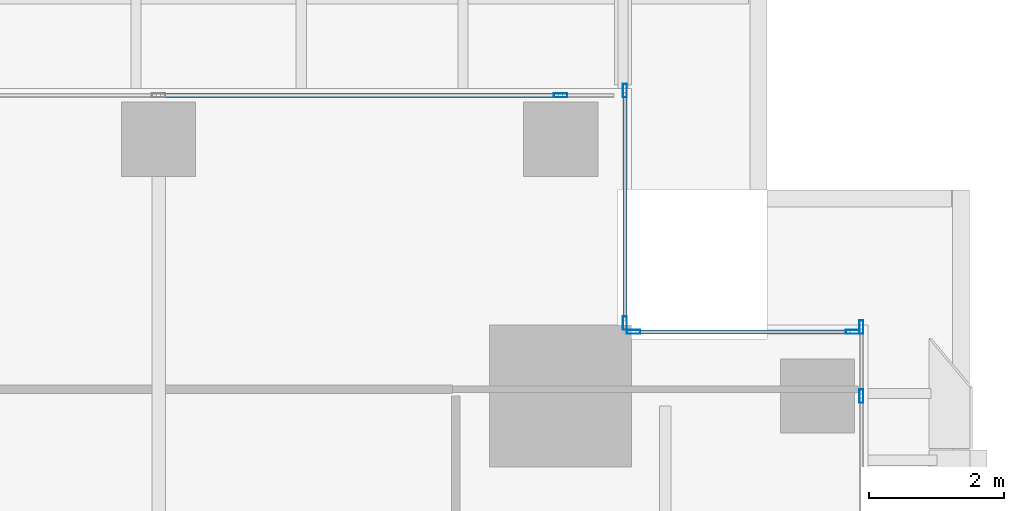
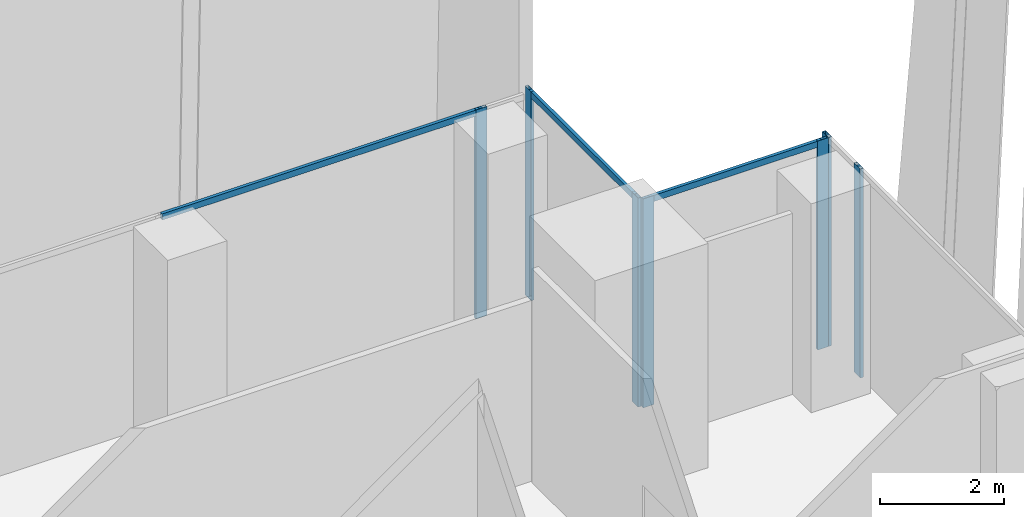
# One storey, part 19 of 37: 10 members, 4 elements without a shape of their own.
"""IFC4 building model written with IfcOpenShell, lengths in metres."""

from ifc_helpers import new_model, si_unit, direction, frame, origin, origin_2d, place, context, subcontext, project, spatial, hollow_rectangle, extrude, source, transform, mapped, material, material_profile, profile_set, type_object, element, aggregate, save


model = new_model("IFC4")

# Units and contexts
model_context = context("Model", 3, precision=1e-05, world=origin(), true_north=direction((0.0, 1.0)))
body_context = subcontext(model_context, "Body", "Model", "MODEL_VIEW")
ifc_project = project(units=[si_unit("LENGTHUNIT", "METRE"), si_unit("AREAUNIT", "SQUARE_METRE"), si_unit("VOLUMEUNIT", "CUBIC_METRE"), si_unit("PLANEANGLEUNIT", "RADIAN"), si_unit("MASSUNIT", "GRAM", prefix="KILO")], contexts=[model_context])

# Site, building, storey
site_placement = place(None, origin())
site = spatial("IfcSite", under=ifc_project, at=site_placement, CompositionType="ELEMENT")
building_placement = place(site_placement, origin())
building = spatial("IfcBuilding", under=site, at=building_placement, Name="Khomas Fold Tower", CompositionType="ELEMENT")
storey_placement = place(building_placement, frame((0.0, 0.0, 101.5)))
storey = spatial("IfcBuildingStorey", under=building, at=storey_placement, Name="L21", CompositionType="ELEMENT", Elevation=101.5)

# Curtain wall, members
ifc_material_1 = material(Name="Aluminium framed double glazing", Category="aluminium")
curtain_wall_type = type_object("IfcCurtainWallType", Name="SK-Unitised clear-glass wall, growing floors CW1", PredefinedType="NOTDEFINED", material=ifc_material_1)
curtain_wall_1_placement = place(storey_placement, origin())
curtain_wall_1 = element("IfcCurtainWall", 1, at=curtain_wall_1_placement, inside=storey, type_object=curtain_wall_type, Name="CW1 run L21 03-1", PredefinedType="NOTDEFINED")
ifc_material_2 = material(Name="Aluminium", Category="aluminium")
ifc_material_profile_1 = material_profile(ifc_material_2, hollow_rectangle(XDim=0.06005859375, YDim=0.199951171875, WallThickness=0.00390625, at=origin_2d()), Name="SK-Unitised clear-glass wall, growing floors mullion CW1-M")
ifc_profile_set_1 = profile_set([ifc_material_profile_1], Name="Aluminium")
member_type_1 = type_object("IfcMemberType", Name="SK-Unitised clear-glass wall, growing floors mullion CW1-M", PredefinedType="MULLION", material=ifc_profile_set_1)
shared_shape_1 = source(origin(), body_context, "Body", "SweptSolid", [
    extrude(hollow_rectangle(XDim=0.06005859375, YDim=0.199951171875, WallThickness=0.00390625, at=origin_2d()), origin(), (0.0, 0.0, 1.0), 4.10009765625),
])
member_1_placement = place(storey_placement, frame((52.39990234375, 47.949951171875, 0.0), z_axis=(0.0, 0.0, 1.0), x_axis=(-1.0, 0.0, 0.0)))
member_1 = element("IfcMember", 2, at=member_1_placement, type_object=member_type_1, Name="CW1 mullion 5", PredefinedType="MULLION", context=body_context, shape_type="MappedRepresentation", body=[
    mapped(shared_shape_1, transform((0.0, 0.0, 0.0))),
])
member_2_placement = place(storey_placement, frame((52.39990234375, 48.969970703125, 0.0), z_axis=(0.0, 0.0, 1.0), x_axis=(-1.0, 0.0, 0.0)))
member_2 = element("IfcMember", 3, at=member_2_placement, type_object=member_type_1, Name="CW1 mullion 6", PredefinedType="MULLION", context=body_context, shape_type="MappedRepresentation", body=[
    mapped(shared_shape_1, transform((0.0, 0.0, 0.0))),
])
aggregate(curtain_wall_1, [member_1, member_2])

curtain_wall_2_placement = place(storey_placement, origin())
curtain_wall_2 = element("IfcCurtainWall", 4, at=curtain_wall_2_placement, inside=storey, type_object=curtain_wall_type, Name="CW1 corner return L21 04", PredefinedType="NOTDEFINED")
member_3_placement = place(storey_placement, frame((52.27001953125, 48.89990234375, 0.0), z_axis=(0.0, 0.0, 1.0), x_axis=(0.0, -1.0, 0.0)))
member_3 = element("IfcMember", 5, at=member_3_placement, type_object=member_type_1, Name="CW1 mullion 1", PredefinedType="MULLION", context=body_context, shape_type="MappedRepresentation", body=[
    mapped(shared_shape_1, transform((0.0, 0.0, 0.0))),
])
member_4_placement = place(storey_placement, frame((49.030029296875, 48.89990234375, 0.0), z_axis=(0.0, 0.0, 1.0), x_axis=(0.0, -1.0, 0.0)))
member_4 = element("IfcMember", 6, at=member_4_placement, type_object=member_type_1, Name="CW1 mullion 2", PredefinedType="MULLION", context=body_context, shape_type="MappedRepresentation", body=[
    mapped(shared_shape_1, transform((0.0, 0.0, 0.0))),
])

curtain_wall_3_placement = place(storey_placement, origin())
curtain_wall_3 = element("IfcCurtainWall", 7, at=curtain_wall_3_placement, inside=storey, type_object=curtain_wall_type, Name="CW1 corner return L21 05", PredefinedType="NOTDEFINED")
member_5_placement = place(storey_placement, frame((48.89990234375, 49.030029296875, 0.0), z_axis=(0.0, 0.0, 1.0), x_axis=(-1.0, 0.0, 0.0)))
member_5 = element("IfcMember", 8, at=member_5_placement, type_object=member_type_1, Name="CW1 mullion 1", PredefinedType="MULLION", context=body_context, shape_type="MappedRepresentation", body=[
    mapped(shared_shape_1, transform((0.0, 0.0, 0.0))),
])
member_6_placement = place(storey_placement, frame((48.89990234375, 52.469970703125, 0.0), z_axis=(0.0, 0.0, 1.0), x_axis=(-1.0, 0.0, 0.0)))
member_6 = element("IfcMember", 9, at=member_6_placement, type_object=member_type_1, Name="CW1 mullion 2", PredefinedType="MULLION", context=body_context, shape_type="MappedRepresentation", body=[
    mapped(shared_shape_1, transform((0.0, 0.0, 0.0))),
])

curtain_wall_4_placement = place(storey_placement, origin())
curtain_wall_4 = element("IfcCurtainWall", 10, at=curtain_wall_4_placement, inside=storey, type_object=curtain_wall_type, Name="CW1 run L21 06-0", PredefinedType="NOTDEFINED")
member_7_placement = place(storey_placement, frame((47.949951171875, 52.39990234375, 0.0), z_axis=(0.0, 0.0, 1.0), x_axis=(0.0, -1.0, 0.0)))
member_7 = element("IfcMember", 11, at=member_7_placement, type_object=member_type_1, Name="CW1 mullion 2", PredefinedType="MULLION", context=body_context, shape_type="MappedRepresentation", body=[
    mapped(shared_shape_1, transform((0.0, 0.0, 0.0))),
])
ifc_material_3 = material(Name="Aluminium", Category="aluminium")
ifc_material_profile_2 = material_profile(ifc_material_3, hollow_rectangle(XDim=0.06005859375, YDim=0.1201171875, WallThickness=0.00390625, at=origin_2d()), Name="SK-Unitised clear-glass wall, growing floors transom CW1-T")
ifc_profile_set_2 = profile_set([ifc_material_profile_2], Name="Aluminium")
member_type_2 = type_object("IfcMemberType", Name="SK-Unitised clear-glass wall, growing floors transom CW1-T", PredefinedType="USERDEFINED", material=ifc_profile_set_2)
shared_shape_2 = source(origin(), body_context, "Body", "SweptSolid", [
    extrude(hollow_rectangle(XDim=0.06005859375, YDim=0.1201171875, WallThickness=0.00390625, at=origin_2d()), origin(), (0.0, 0.0, 1.0), 5.889892578125),
])
member_8_placement = place(storey_placement, frame((47.919921875, 52.39990234375, 4.0400390625), z_axis=(-1.0, 0.0, 0.0), x_axis=(0.0, -1.0, 0.0)))
member_8 = element("IfcMember", 12, at=member_8_placement, type_object=member_type_2, Name="CW1 transom 2", ObjectType="TRANSOM", PredefinedType="USERDEFINED", context=body_context, shape_type="MappedRepresentation", body=[
    mapped(shared_shape_2, transform((0.0, 0.0, 0.0))),
])
aggregate(curtain_wall_4, [member_7, member_8])

# Member
shared_shape_3 = source(origin(), body_context, "Body", "SweptSolid", [
    extrude(hollow_rectangle(XDim=0.06005859375, YDim=0.1201171875, WallThickness=0.00390625, at=origin_2d()), origin(), (0.0, 0.0, 1.0), 3.179931640625),
])
member_9_placement = place(storey_placement, frame((52.239990234375, 48.89990234375, 4.0400390625), z_axis=(-1.0, 0.0, 0.0), x_axis=(0.0, -1.0, 0.0)))
member_9 = element("IfcMember", 13, at=member_9_placement, type_object=member_type_2, Name="CW1 transom 1", ObjectType="TRANSOM", PredefinedType="USERDEFINED", context=body_context, shape_type="MappedRepresentation", body=[
    mapped(shared_shape_3, transform((0.0, 0.0, 0.0))),
])

aggregate(curtain_wall_2, [member_3, member_4, member_9])

shared_shape_4 = source(origin(), body_context, "Body", "SweptSolid", [
    extrude(hollow_rectangle(XDim=0.06005859375, YDim=0.1201171875, WallThickness=0.00390625, at=origin_2d()), origin(), (0.0, 0.0, 1.0), 3.3798828125),
])
member_10_placement = place(storey_placement, frame((48.89990234375, 49.06005859375, 4.0400390625), z_axis=(0.0, 1.0, 0.0), x_axis=(-1.0, 0.0, 0.0)))
member_10 = element("IfcMember", 14, at=member_10_placement, type_object=member_type_2, Name="CW1 transom 1", ObjectType="TRANSOM", PredefinedType="USERDEFINED", context=body_context, shape_type="MappedRepresentation", body=[
    mapped(shared_shape_4, transform((0.0, 0.0, 0.0))),
])

aggregate(curtain_wall_3, [member_5, member_6, member_10])

save(model, "model.ifc")
